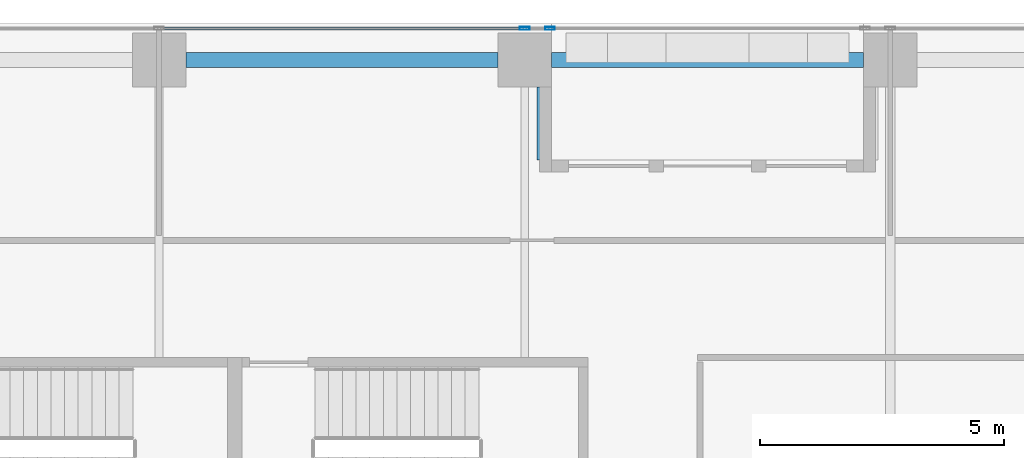
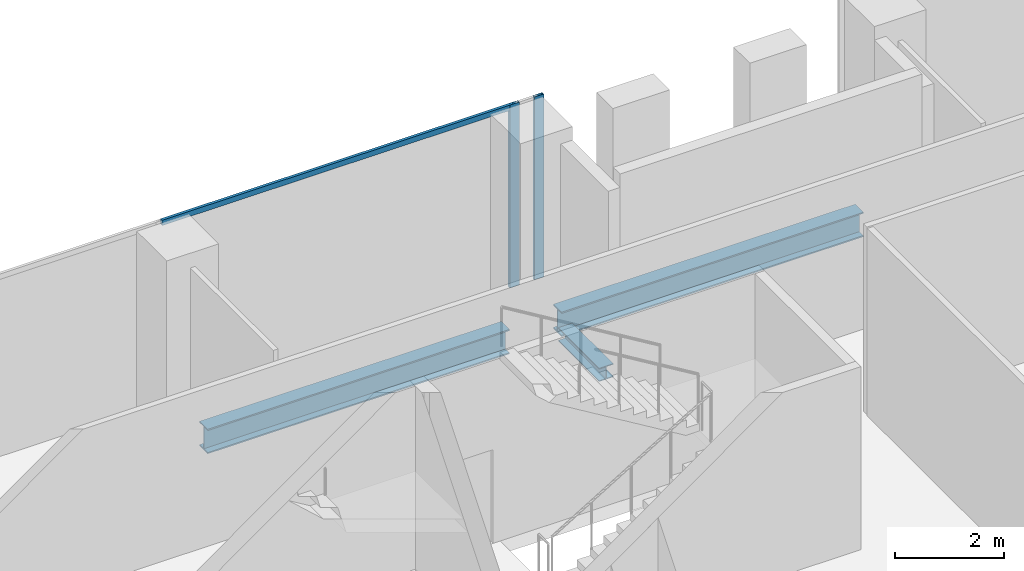
# One storey, part 17 of 33: 3 beams, 3 members, 1 element without a shape of its own.
"""IFC4 building model written with IfcOpenShell, lengths in metres."""

from ifc_helpers import new_model, si_unit, direction, frame, origin, origin_2d, place, context, subcontext, project, spatial, hollow_rectangle, i_section, extrude, source, transform, mapped, material, material_profile, profile_set, type_object, element, aggregate, save


model = new_model("IFC4")

# Units and contexts
model_context = context("Model", 3, precision=1e-05, world=origin(), true_north=direction((0.0, 1.0)))
body_context = subcontext(model_context, "Body", "Model", "MODEL_VIEW")
ifc_project = project(units=[si_unit("LENGTHUNIT", "METRE"), si_unit("AREAUNIT", "SQUARE_METRE"), si_unit("VOLUMEUNIT", "CUBIC_METRE"), si_unit("PLANEANGLEUNIT", "RADIAN"), si_unit("MASSUNIT", "GRAM", prefix="KILO")], contexts=[model_context])

# Site, building, storey
site_placement = place(None, origin())
site = spatial("IfcSite", under=ifc_project, at=site_placement, CompositionType="ELEMENT")
building_placement = place(site_placement, origin())
building = spatial("IfcBuilding", under=site, at=building_placement, Name="Khomas Fold Tower", CompositionType="ELEMENT")
storey_placement = place(building_placement, frame((0.0, 0.0, 149.89990234375)))
storey = spatial("IfcBuildingStorey", under=building, at=storey_placement, Name="L32", CompositionType="ELEMENT", Elevation=149.89990234375)

# Beams
ifc_material_1 = material(Name="Steel S355", Category="steel")
ifc_material_profile_1 = material_profile(ifc_material_1, i_section(OverallWidth=0.300048828125, OverallDepth=0.550048828125, WebThickness=0.014892578125, FlangeThickness=0.029052734375, at=origin_2d()), Name="HE 550 B")
ifc_profile_set_1 = profile_set([ifc_material_profile_1], Name="Steel S355")
beam_type_1 = type_object("IfcBeamType", Name="HE 550 B spandrel SB2", PredefinedType="SPANDREL", material=ifc_profile_set_1)
shared_shape_1 = source(origin(), body_context, "Body", "SweptSolid", [
    extrude(i_section(OverallWidth=0.300048828125, OverallDepth=0.550048828125, WebThickness=0.014892578125, FlangeThickness=0.029052734375, at=origin_2d()), origin(), (0.0, 0.0, 1.0), 6.39990234375),
])
for number, where, z_axis, x_axis, name in (
    (1, (27.550048828125, 51.75, -0.574951171875), (1.0, 0.0, 0.0), (0.0, 1.0, 0.0), "SB2"),
    (2, (20.050048828125, 51.75, -0.574951171875), (1.0, 0.0, 0.0), (0.0, 1.0, 0.0), "SB2"),
):
    element("IfcBeam", number, at=place(storey_placement, frame(where, z_axis=z_axis, x_axis=x_axis)), inside=storey, type_object=beam_type_1, Name=name, PredefinedType="SPANDREL", context=body_context, shape_type="MappedRepresentation", body=[
        mapped(shared_shape_1, transform((0.0, 0.0, 0.0))),
    ])
ifc_material_2 = material(Name="Steel S355", Category="steel")
ifc_material_profile_2 = material_profile(ifc_material_2, i_section(OverallWidth=0.300048828125, OverallDepth=0.300048828125, WebThickness=0.010986328125, FlangeThickness=0.01904296875, at=origin_2d()), Name="HE 300 B")
ifc_profile_set_2 = profile_set([ifc_material_profile_2], Name="Steel S355")
beam_type_2 = type_object("IfcBeamType", Name="HE 300 B beam BB1", PredefinedType="BEAM", material=ifc_profile_set_2)
shared_shape_2 = source(origin(), body_context, "Body", "SweptSolid", [
    extrude(i_section(OverallWidth=0.300048828125, OverallDepth=0.300048828125, WebThickness=0.010986328125, FlangeThickness=0.01904296875, at=origin_2d()), origin(), (0.0, 0.0, 1.0), 1.5),
])
beam_placement = place(storey_placement, frame((27.39990234375, 49.699951171875, -0.449951171875), z_axis=(0.0, 1.0, 0.0), x_axis=(-1.0, 0.0, 0.0)))
element("IfcBeam", 3, at=beam_placement, inside=storey, type_object=beam_type_2, Name="BB1", PredefinedType="BEAM", context=body_context, shape_type="MappedRepresentation", body=[
    mapped(shared_shape_2, transform((0.0, 0.0, 0.0))),
])

# Curtain wall, members
ifc_material_3 = material(Name="Aluminium framed double glazing", Category="aluminium")
curtain_wall_type = type_object("IfcCurtainWallType", Name="SK-Unitised clear-glass wall, growing floors CW1", PredefinedType="NOTDEFINED", material=ifc_material_3)
curtain_wall_placement = place(storey_placement, origin())
curtain_wall = element("IfcCurtainWall", 4, at=curtain_wall_placement, inside=storey, type_object=curtain_wall_type, Name="CW1 run L32 06-1", PredefinedType="NOTDEFINED")
ifc_material_4 = material(Name="Aluminium", Category="aluminium")
ifc_material_profile_3 = material_profile(ifc_material_4, hollow_rectangle(XDim=0.06005859375, YDim=0.1201171875, WallThickness=0.00390625, at=origin_2d()), Name="SK-Unitised clear-glass wall, growing floors transom CW1-T")
ifc_profile_set_3 = profile_set([ifc_material_profile_3], Name="Aluminium")
member_type_1 = type_object("IfcMemberType", Name="SK-Unitised clear-glass wall, growing floors transom CW1-T", PredefinedType="USERDEFINED", material=ifc_profile_set_3)
shared_shape_3 = source(origin(), body_context, "Body", "SweptSolid", [
    extrude(hollow_rectangle(XDim=0.06005859375, YDim=0.1201171875, WallThickness=0.00390625, at=origin_2d()), origin(), (0.0, 0.0, 1.0), 7.43994140625),
])
member_1_placement = place(storey_placement, frame((26.969970703125, 52.39990234375, 4.0400390625), z_axis=(-1.0, 0.0, 0.0), x_axis=(0.0, -1.0, 0.0)))
member_1 = element("IfcMember", 5, at=member_1_placement, type_object=member_type_1, Name="CW1 transom 2", ObjectType="TRANSOM", PredefinedType="USERDEFINED", context=body_context, shape_type="MappedRepresentation", body=[
    mapped(shared_shape_3, transform((0.0, 0.0, 0.0))),
])
ifc_material_5 = material(Name="Aluminium", Category="aluminium")
ifc_material_profile_4 = material_profile(ifc_material_5, hollow_rectangle(XDim=0.06005859375, YDim=0.199951171875, WallThickness=0.00390625, at=origin_2d()), Name="SK-Unitised clear-glass wall, growing floors mullion CW1-M")
ifc_profile_set_4 = profile_set([ifc_material_profile_4], Name="Aluminium")
member_type_2 = type_object("IfcMemberType", Name="SK-Unitised clear-glass wall, growing floors mullion CW1-M", PredefinedType="MULLION", material=ifc_profile_set_4)
shared_shape_4 = source(origin(), body_context, "Body", "SweptSolid", [
    extrude(hollow_rectangle(XDim=0.06005859375, YDim=0.199951171875, WallThickness=0.00390625, at=origin_2d()), origin(), (0.0, 0.0, 1.0), 4.10009765625),
])
member_2_placement = place(storey_placement, frame((27.52001953125, 52.39990234375, 0.0), z_axis=(0.0, 0.0, 1.0), x_axis=(0.0, -1.0, 0.0)))
member_2 = element("IfcMember", 6, at=member_2_placement, type_object=member_type_2, Name="CW1 mullion 1", PredefinedType="MULLION", context=body_context, shape_type="MappedRepresentation", body=[
    mapped(shared_shape_4, transform((0.0, 0.0, 0.0))),
])
member_3_placement = place(storey_placement, frame((27.0, 52.39990234375, 0.0), z_axis=(0.0, 0.0, 1.0), x_axis=(0.0, -1.0, 0.0)))
member_3 = element("IfcMember", 7, at=member_3_placement, type_object=member_type_2, Name="CW1 mullion 2", PredefinedType="MULLION", context=body_context, shape_type="MappedRepresentation", body=[
    mapped(shared_shape_4, transform((0.0, 0.0, 0.0))),
])
aggregate(curtain_wall, [member_2, member_3, member_1])

save(model, "model.ifc")
